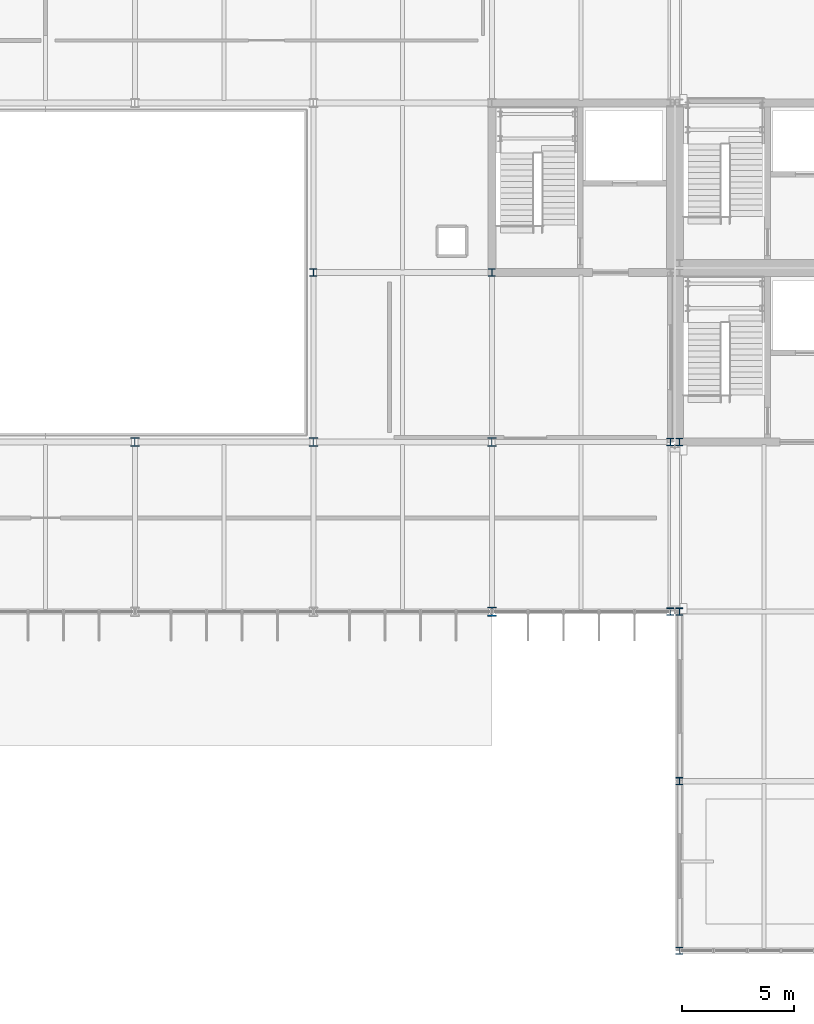
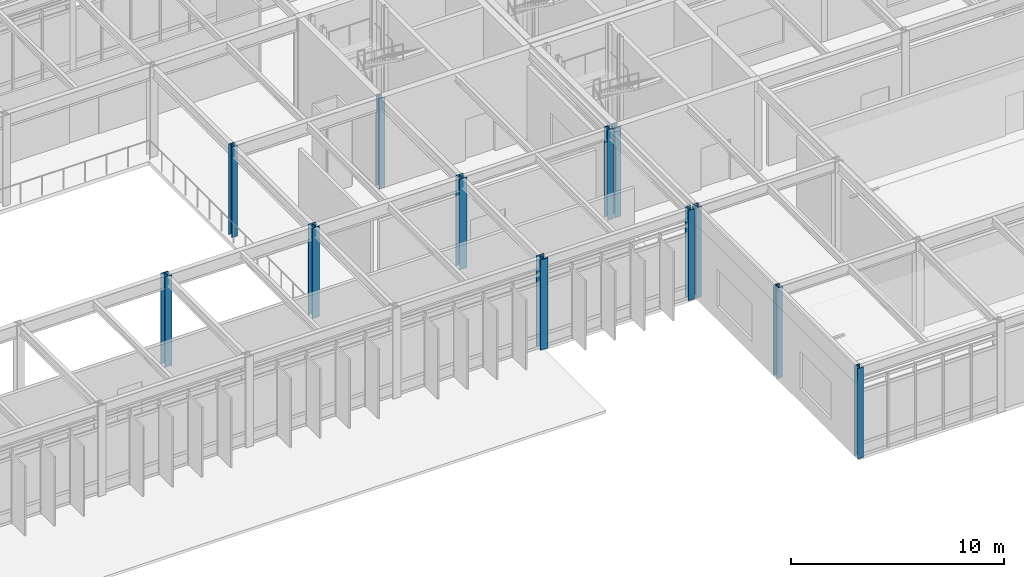
# One storey, part 9 of 94: 12 columns.
"""IFC4 building model written with IfcOpenShell, lengths in metres."""

from ifc_helpers import new_model, si_unit, direction, frame, origin, origin_2d, place, context, subcontext, project, spatial, i_section, extrude, material, material_profile, profile_set, type_object, element, save


model = new_model("IFC4")

# Units and contexts
model_context = context("Model", 3, precision=1e-05, world=origin(), true_north=direction((0.0, 1.0)))
body_context = subcontext(model_context, "Body", "Model", "MODEL_VIEW")
ifc_project = project(units=[si_unit("LENGTHUNIT", "METRE"), si_unit("AREAUNIT", "SQUARE_METRE"), si_unit("VOLUMEUNIT", "CUBIC_METRE"), si_unit("PLANEANGLEUNIT", "RADIAN"), si_unit("MASSUNIT", "GRAM", prefix="KILO")], contexts=[model_context])

# Site, building, storey
site_placement = place(None, origin())
site = spatial("IfcSite", under=ifc_project, at=site_placement, CompositionType="ELEMENT")
building_placement = place(site_placement, origin())
building = spatial("IfcBuilding", under=site, at=building_placement, Name="Zulena Civic Courthouse", CompositionType="ELEMENT")
storey_placement = place(building_placement, frame((0.0, 0.0, 5.39990234375)))
storey = spatial("IfcBuildingStorey", under=building, at=storey_placement, Name="L01", CompositionType="ELEMENT", Elevation=5.39990234375)

# Columns
ifc_material = material(Name="Steel ASTM A992 Grade 50", Category="steel")
ifc_material_profile_1 = material_profile(ifc_material, i_section(OverallWidth=0.31298828125, OverallDepth=0.3330078125, WebThickness=0.01806640625, FlangeThickness=0.0283203125, FilletRadius=0.01513671875, at=origin_2d()), Name="W12X120")
ifc_profile_set_1 = profile_set([ifc_material_profile_1], Name="Steel ASTM A992 Grade 50")
column_type_1 = type_object("IfcColumnType", Name="Col_W12X120", PredefinedType="COLUMN", material=ifc_profile_set_1)
for number, where, z_axis, x_axis, name in (
    (1, (124.39990234375, 0.0, 0.0), (0.0, 0.0, 1.0), (1.0, 0.0, 0.0), "col:V1:L01:124.4:0.0"),
    (2, (124.39990234375, 7.60009765625, 0.0), (0.0, 0.0, 1.0), (1.0, 0.0, 0.0), "col:V1:L01:124.4:7.6"),
    (3, (124.39990234375, 15.199951171875, 0.0), (0.0, 0.0, 1.0), (1.0, 0.0, 0.0), "col:V1:L01:124.4:15.2"),
    (4, (124.39990234375, 22.800048828125, 0.0), (0.0, 0.0, 1.0), (1.0, 0.0, 0.0), "col:V1:L01:124.4:22.8"),
    (5, (108.0, 30.39990234375, 0.0), (0.0, 0.0, 1.0), (1.0, 0.0, 0.0), "col:V4:L01:108.0:30.4"),
    (6, (116.0, 30.39990234375, 0.0), (0.0, 0.0, 1.0), (1.0, 0.0, 0.0), "col:V4:L01:116.0:30.4"),
    (7, (124.0, 15.199951171875, 0.0), (0.0, 0.0, 1.0), (1.0, 0.0, 0.0), "col:V4:L01:124.0:15.2"),
    (8, (124.0, 22.800048828125, 0.0), (0.0, 0.0, 1.0), (1.0, 0.0, 0.0), "col:V4:L01:124.0:22.8"),
):
    element("IfcColumn", number, at=place(storey_placement, frame(where, z_axis=z_axis, x_axis=x_axis)), inside=storey, type_object=column_type_1, Name=name, PredefinedType="COLUMN", context=body_context, shape_type="SweptSolid", body=[
        extrude(i_section(OverallWidth=0.31298828125, OverallDepth=0.3330078125, WebThickness=0.01806640625, FlangeThickness=0.0283203125, FilletRadius=0.01513671875, at=origin_2d()), origin(), (0.0, 0.0, 1.0), 5.18505859375),
    ])
ifc_material_profile_2 = material_profile(ifc_material, i_section(OverallWidth=0.40087890625, OverallDepth=0.39892578125, WebThickness=0.02490234375, FlangeThickness=0.03955078125, FilletRadius=0.01513671875, at=origin_2d()), Name="W14X211")
ifc_profile_set_2 = profile_set([ifc_material_profile_2], Name="Steel ASTM A992 Grade 50")
column_type_2 = type_object("IfcColumnType", Name="Col_W14X211", PredefinedType="COLUMN", material=ifc_profile_set_2)
for number, where, z_axis, x_axis, name in (
    (9, (100.0, 22.800048828125, 0.0), (0.0, 0.0, 1.0), (1.0, 0.0, 0.0), "col:V4:L01:100.0:22.8"),
    (10, (108.0, 22.800048828125, 0.0), (0.0, 0.0, 1.0), (1.0, 0.0, 0.0), "col:V4:L01:108.0:22.8"),
    (11, (116.0, 22.800048828125, 0.0), (0.0, 0.0, 1.0), (1.0, 0.0, 0.0), "col:V4:L01:116.0:22.8"),
):
    element("IfcColumn", number, at=place(storey_placement, frame(where, z_axis=z_axis, x_axis=x_axis)), inside=storey, type_object=column_type_2, Name=name, PredefinedType="COLUMN", context=body_context, shape_type="SweptSolid", body=[
        extrude(i_section(OverallWidth=0.40087890625, OverallDepth=0.39892578125, WebThickness=0.02490234375, FlangeThickness=0.03955078125, FilletRadius=0.01513671875, at=origin_2d()), origin(), (0.0, 0.0, 1.0), 5.18505859375),
    ])
ifc_material_profile_3 = material_profile(ifc_material, i_section(OverallWidth=0.406005859375, OverallDepth=0.416015625, WebThickness=0.02978515625, FlangeThickness=0.048095703125, FilletRadius=0.01513671875, at=origin_2d()), Name="W14X257")
ifc_profile_set_3 = profile_set([ifc_material_profile_3], Name="Steel ASTM A992 Grade 50")
column_type_3 = type_object("IfcColumnType", Name="Col_W14X257", PredefinedType="COLUMN", material=ifc_profile_set_3)
column_placement = place(storey_placement, frame((116.0, 15.199951171875, 0.0), z_axis=(0.0, 0.0, 1.0), x_axis=(1.0, 0.0, 0.0)))
element("IfcColumn", 12, at=column_placement, inside=storey, type_object=column_type_3, Name="col:V4:L01:116.0:15.2", PredefinedType="COLUMN", context=body_context, shape_type="SweptSolid", body=[
    extrude(i_section(OverallWidth=0.406005859375, OverallDepth=0.416015625, WebThickness=0.02978515625, FlangeThickness=0.048095703125, FilletRadius=0.01513671875, at=origin_2d()), origin(), (0.0, 0.0, 1.0), 5.18505859375),
])

save(model, "model.ifc")
